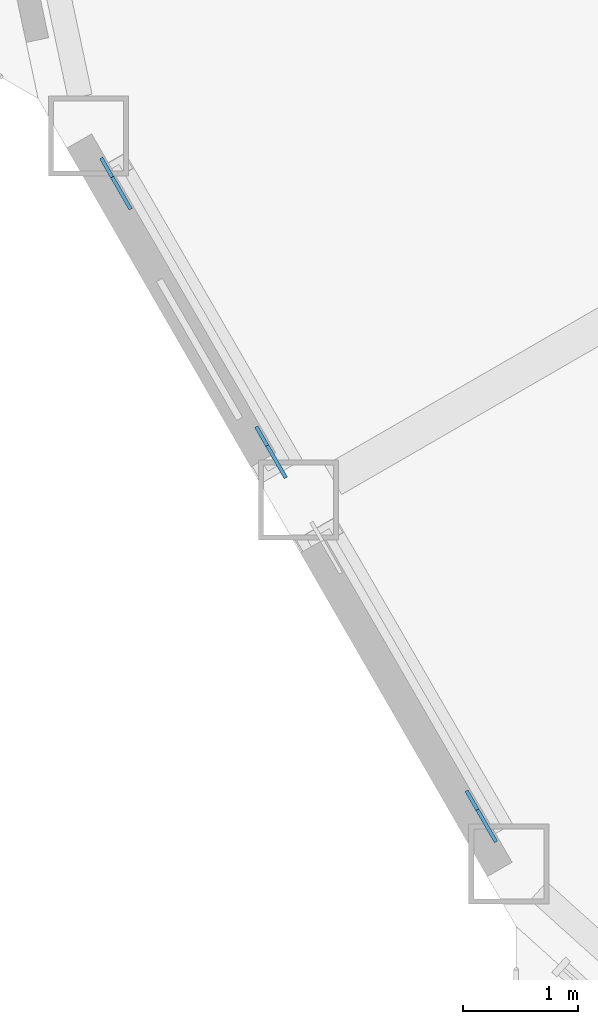
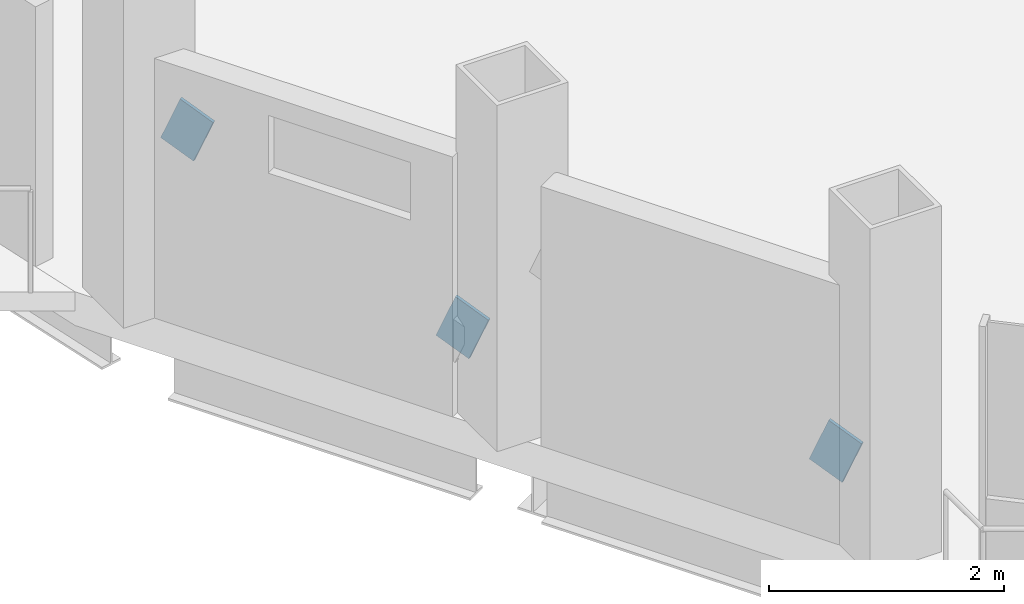
# One storey, part 16 of 23: 3 discrete accessories.
"""IFC4 building model written with IfcOpenShell, lengths in metres."""

from ifc_helpers import new_model, si_unit, direction, frame, origin, origin_2d, place, context, subcontext, project, spatial, rectangle, extrude, material, material_profile, profile_set, type_object, element, save


model = new_model("IFC4")

# Units and contexts
model_context = context("Model", 3, precision=1e-05, world=origin(), true_north=direction((0.0, 1.0)))
body_context = subcontext(model_context, "Body", "Model", "MODEL_VIEW")
ifc_project = project(units=[si_unit("LENGTHUNIT", "METRE"), si_unit("AREAUNIT", "SQUARE_METRE"), si_unit("VOLUMEUNIT", "CUBIC_METRE"), si_unit("PLANEANGLEUNIT", "RADIAN"), si_unit("MASSUNIT", "GRAM", prefix="KILO")], contexts=[model_context])

# Site, building, storey
site_placement = place(None, origin())
site = spatial("IfcSite", under=ifc_project, at=site_placement, CompositionType="ELEMENT")
building_placement = place(site_placement, origin())
building = spatial("IfcBuilding", under=site, at=building_placement, Name="Cormorant Prow Tower", CompositionType="ELEMENT")
storey_placement = place(building_placement, frame((0.0, 0.0, 241.800048828125)))
storey = spatial("IfcBuildingStorey", under=building, at=storey_placement, Name="L53", CompositionType="ELEMENT", Elevation=241.800048828125)

# Discrete accessories
ifc_material = material(Name="Structural steel ASTM A500 Gr C", Category="steel")
ifc_material_profile = material_profile(ifc_material, rectangle(XDim=0.031982421875, YDim=0.506103515625, at=origin_2d()), Name="Gusset plate 32x506")
ifc_profile_set = profile_set([ifc_material_profile], Name="Structural steel ASTM A500 Gr C")
discrete_accessory_type = type_object("IfcDiscreteAccessoryType", Name="Gusset plate 32x506", PredefinedType="BRACKET", material=ifc_profile_set)
discrete_accessory_1_placement = place(storey_placement, frame((-28.09814453125, -15.4794921875, 0.863037109375), z_axis=(0.462827914709, -0.801584490837, -0.378487285673), x_axis=(0.866010015463, 0.500026652407, 0.0)))
element("IfcDiscreteAccessory", 1, at=discrete_accessory_1_placement, inside=storey, type_object=discrete_accessory_type, Name="Gusset plate GP2 L53.WSW00.g0", PredefinedType="BRACKET", context=body_context, shape_type="SweptSolid", body=[
    extrude(rectangle(XDim=0.031982421875, YDim=0.506103515625, at=origin_2d()), origin(), (0.0, 0.0, 1.0), 0.350341796875),
])
discrete_accessory_2_placement = place(storey_placement, frame((-29.2900390625, -13.4150390625, 1.837890625), z_axis=(-0.46266066689, 0.801805590131, 0.37822335061), x_axis=(-0.866147934042, -0.499787711288, 0.0)))
element("IfcDiscreteAccessory", 2, at=discrete_accessory_2_placement, inside=storey, type_object=discrete_accessory_type, Name="Gusset plate GP2 L53.WSW00.g1", PredefinedType="BRACKET", context=body_context, shape_type="SweptSolid", body=[
    extrude(rectangle(XDim=0.031982421875, YDim=0.506103515625, at=origin_2d()), origin(), (0.0, 0.0, 1.0), 0.349853515625),
])
discrete_accessory_3_placement = place(storey_placement, frame((-26.262939453125, -18.658203125, 0.863037109375), z_axis=(0.462827914709, -0.801584490837, -0.378487285673), x_axis=(0.866010015463, 0.500026652407, 0.0)))
element("IfcDiscreteAccessory", 3, at=discrete_accessory_3_placement, inside=storey, type_object=discrete_accessory_type, Name="Gusset plate GP2 L53.WSW01.g0", PredefinedType="BRACKET", context=body_context, shape_type="SweptSolid", body=[
    extrude(rectangle(XDim=0.031982421875, YDim=0.506103515625, at=origin_2d()), origin(), (0.0, 0.0, 1.0), 0.350341796875),
])

save(model, "model.ifc")
